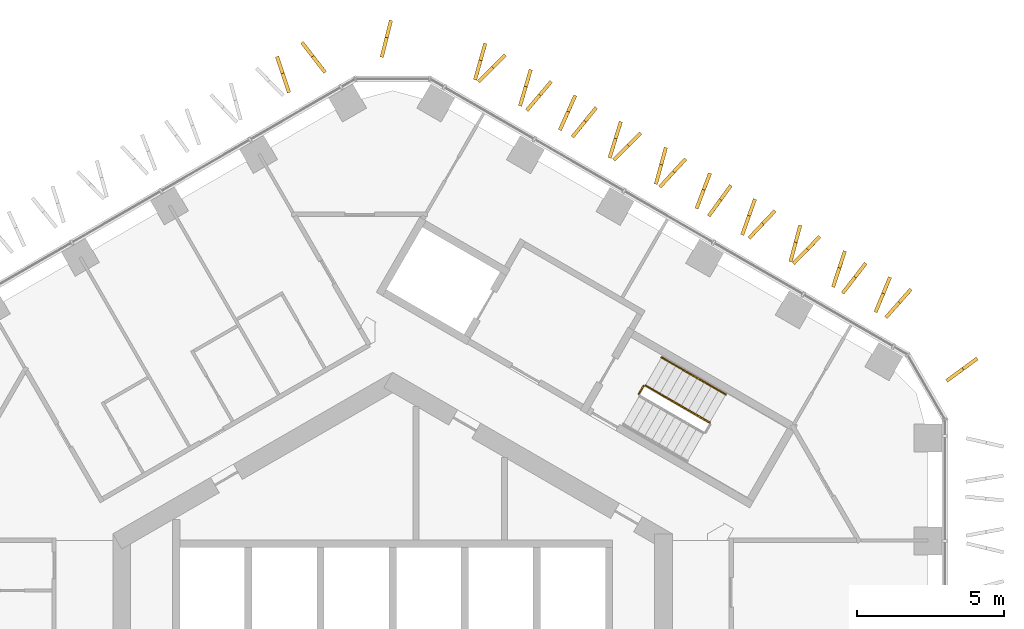
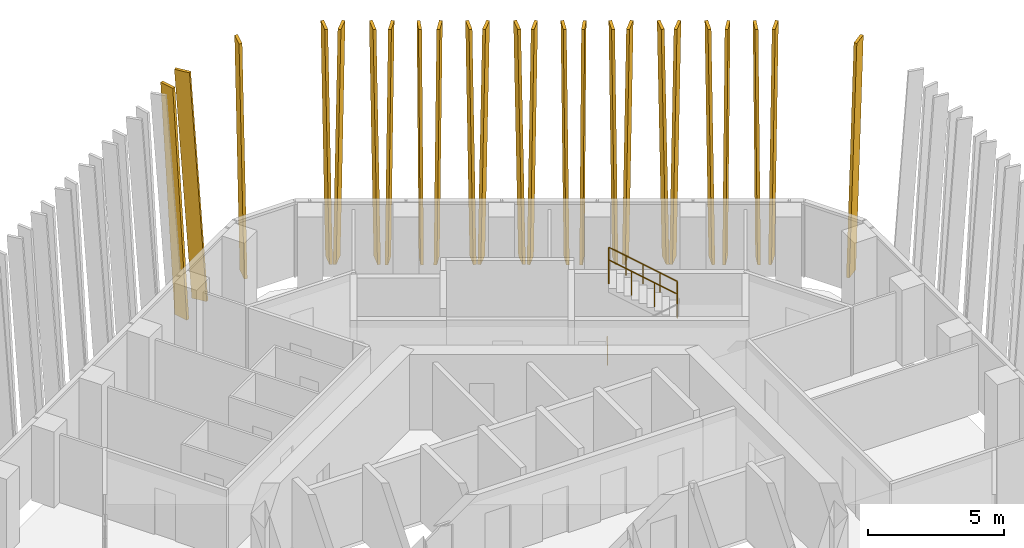
# One storey, part 21 of 21: 24 shading devices, 4 railings.
"""IFC4 building model written with IfcOpenShell, lengths in metres."""

from ifc_helpers import new_model, si_unit, direction, frame, origin, origin_2d, place, context, subcontext, project, spatial, polyline, circle, outline, extrude, material, layer, layer_set, type_object, element, save


model = new_model("IFC4")

# Units and contexts
model_context = context("Model", 3, precision=1e-05, world=origin(), true_north=direction((0.0, 1.0)))
body_context = subcontext(model_context, "Body", "Model", "MODEL_VIEW")
ifc_project = project(units=[si_unit("LENGTHUNIT", "METRE"), si_unit("AREAUNIT", "SQUARE_METRE"), si_unit("VOLUMEUNIT", "CUBIC_METRE"), si_unit("PLANEANGLEUNIT", "RADIAN"), si_unit("MASSUNIT", "GRAM", prefix="KILO")], contexts=[model_context])

# Site, building, storey
site_placement = place(None, origin())
site = spatial("IfcSite", under=ifc_project, at=site_placement, CompositionType="ELEMENT")
building_placement = place(site_placement, origin())
building = spatial("IfcBuilding", under=site, at=building_placement, Name="Ayvan Gate Tower", CompositionType="ELEMENT")
storey_placement = place(building_placement, frame((0.0, 0.0, 152.699951171875)))
storey = spatial("IfcBuildingStorey", under=building, at=storey_placement, Name="L40", CompositionType="ELEMENT", Elevation=152.699951171875)

# Shading devices
ifc_material_1 = material(Name="Bronze anodised aluminium", Category="aluminium")
ifc_layer = layer(ifc_material_1, 0.1201171875)
ifc_layer_set = layer_set([ifc_layer], Name="Bronze anodised aluminium")
shading_device_type = type_object("IfcShadingDeviceType", Name="Bronze fin 600 x 120", PredefinedType="USERDEFINED", material=ifc_layer_set)
shading_device_1_placement = place(storey_placement, frame((-2.2451171875, 21.19140625, 0.0), z_axis=(0.79251810121, 0.609848374596, 0.000138768716), x_axis=(-0.609848380468, 0.792518108841, 0.0)))
element("IfcShadingDevice", 1, at=shading_device_1_placement, inside=storey, type_object=shading_device_type, Name="Bronze fin FG15.1.1", ObjectType="FIN", PredefinedType="USERDEFINED", context=body_context, shape_type="SweptSolid", body=[
    extrude(outline(polyline([(0.0, 0.0), (0.600094726158047, -1.3552527156068805e-20), (1.288445924583487, 10.08007822205481), (0.6883511984254398, 10.08007822205481), (0.0, 0.0)])), origin(), (0.0, 0.0, -1.0), 0.1201171875),
])
shading_device_2_placement = place(storey_placement, frame((-3.461181640625, 20.487060546875, 0.0), z_axis=(0.949312104293, 0.314335019531, 0.000155369014), x_axis=(-0.314335023321, 0.949312115752, -3.001e-08)))
element("IfcShadingDevice", 2, at=shading_device_2_placement, inside=storey, type_object=shading_device_type, Name="Bronze fin FG15.1.2", ObjectType="FIN", PredefinedType="USERDEFINED", context=body_context, shape_type="SweptSolid", body=[
    extrude(outline(polyline([(0.0, 0.0), (0.5999540537240067, 3.3881317890172014e-21), (1.2884574341954806, 10.080078285330748), (0.6884266385224209, 10.080078249319245), (0.0, 0.0)])), origin(), (0.0, 0.0, -1.0), 0.1201171875),
])
shading_device_3_placement = place(storey_placement, frame((18.851318359375, 10.6279296875, 0.0), z_axis=(0.59005739309, -0.8073612882, 0.000152236376), x_axis=(0.807361297556, 0.590057399927, 0.0)))
element("IfcShadingDevice", 3, at=shading_device_3_placement, inside=storey, type_object=shading_device_type, Name="Bronze fin FG15.10.105", ObjectType="FIN", PredefinedType="USERDEFINED", context=body_context, shape_type="SweptSolid", body=[
    extrude(outline(polyline([(0.0, 0.0), (0.5999482529895881, 6.776263578034403e-21), (1.2884096860518603, 10.080078241807517), (0.6884614330622723, 10.080078241807517), (0.0, 0.0)])), origin(), (0.0, 0.0, -1.0), 0.1201171875),
])
shading_device_4_placement = place(storey_placement, frame((16.79736328125, 12.786865234375, 0.0), z_axis=(0.748059967638, -0.663631116246, 0.000162382885), x_axis=(0.663631124992, 0.748059977503, 2.192e-08)))
element("IfcShadingDevice", 4, at=shading_device_4_placement, inside=storey, type_object=shading_device_type, Name="Bronze fin FG15.11.106", ObjectType="FIN", PredefinedType="USERDEFINED", context=body_context, shape_type="SweptSolid", body=[
    extrude(outline(polyline([(0.0, 0.0), (0.6001134432348747, 0.0), (1.2883427686104885, 10.080078229656094), (0.6884119572060589, 10.080078255961254), (0.0, 0.0)])), origin(), (0.0, 0.0, -1.0), 0.1201171875),
])
shading_device_5_placement = place(storey_placement, frame((16.456787109375, 12.98583984375, 0.0), z_axis=(0.923629706078, -0.383285983756, 0.000143899914), x_axis=(0.383285987724, 0.923629715641, 0.0)))
element("IfcShadingDevice", 5, at=shading_device_5_placement, inside=storey, type_object=shading_device_type, Name="Bronze fin FG15.11.107", ObjectType="FIN", PredefinedType="USERDEFINED", context=body_context, shape_type="SweptSolid", body=[
    extrude(outline(polyline([(0.0, 0.0), (0.6000231579444082, 0.0), (1.288258381519322, 10.080078229365025), (0.6882352235749141, 10.080078229365025), (0.0, 0.0)])), origin(), (0.0, 0.0, -1.0), 0.1201171875),
])
shading_device_6_placement = place(storey_placement, frame((15.33251953125, 13.617431640625, 0.0), z_axis=(0.791897474158, -0.610654050198, 0.000146285123), x_axis=(0.610654056734, 0.791897482629, -1.8174e-08)))
element("IfcShadingDevice", 6, at=shading_device_6_placement, inside=storey, type_object=shading_device_type, Name="Bronze fin FG15.11.108", ObjectType="FIN", PredefinedType="USERDEFINED", context=body_context, shape_type="SweptSolid", body=[
    extrude(outline(polyline([(0.0, 0.0), (0.6000059180551673, -6.776263578034403e-21), (1.2884744077247237, 10.0800782562702), (0.6882751553232112, 10.080078234457702), (0.0, 0.0)])), origin(), (0.0, 0.0, -1.0), 0.1201171875),
])
shading_device_7_placement = place(storey_placement, frame((15.015625, 13.84423828125, 0.0), z_axis=(0.949453525195, -0.313907604323, 0.000139438645), x_axis=(0.313907607377, 0.949453534424, -1.8024e-08)))
element("IfcShadingDevice", 7, at=shading_device_7_placement, inside=storey, type_object=shading_device_type, Name="Bronze fin FG15.11.109", ObjectType="FIN", PredefinedType="USERDEFINED", context=body_context, shape_type="SweptSolid", body=[
    extrude(outline(polyline([(0.0, 0.0), (0.600185845273785, 0.0), (1.2883109936849921, 10.080078246214855), (0.6884335861899672, 10.080078224584755), (0.0, 0.0)])), origin(), (0.0, 0.0, -1.0), 0.1201171875),
])
shading_device_8_placement = place(storey_placement, frame((13.654541015625, 14.616943359375, 0.0), z_axis=(0.715399821122, -0.698715297421, 0.000170550351), x_axis=(0.698715307583, 0.715399831527, 0.0)))
element("IfcShadingDevice", 8, at=shading_device_8_placement, inside=storey, type_object=shading_device_type, Name="Bronze fin FG15.11.110", ObjectType="FIN", PredefinedType="USERDEFINED", context=body_context, shape_type="SweptSolid", body=[
    extrude(outline(polyline([(0.0, 0.0), (0.599943136461154, -6.776263578034403e-21), (1.2883010560775254, 10.080078271601748), (0.6883579196163714, 10.080078271601748), (0.0, 0.0)])), origin(), (0.0, 0.0, -1.0), 0.1201171875),
])
shading_device_9_placement = place(storey_placement, frame((13.57080078125, 14.705078125, 0.0), z_axis=(0.965770758304, -0.25939703325, 0.000146786765), x_axis=(0.259397036047, 0.965770768707, -2.109e-08)))
element("IfcShadingDevice", 9, at=shading_device_9_placement, inside=storey, type_object=shading_device_type, Name="Bronze fin FG15.11.111", ObjectType="FIN", PredefinedType="USERDEFINED", context=body_context, shape_type="SweptSolid", body=[
    extrude(outline(polyline([(0.0, 0.0), (0.6001550571068804, 3.3881317890172014e-21), (1.28834391314857, 10.08007826076511), (0.6884879692752724, 10.080078235457375), (0.0, 0.0)])), origin(), (0.0, 0.0, -1.0), 0.1201171875),
])
shading_device_10_placement = place(storey_placement, frame((12.14892578125, 15.481201171875, 0.0), z_axis=(0.725375139543, -0.68835374992, 0.000147998533), x_axis=(0.688353757459, 0.725375147487, 0.0)))
element("IfcShadingDevice", 10, at=shading_device_10_placement, inside=storey, type_object=shading_device_type, Name="Bronze fin FG15.11.112", ObjectType="FIN", PredefinedType="USERDEFINED", context=body_context, shape_type="SweptSolid", body=[
    extrude(outline(polyline([(0.0, 0.0), (0.6001070423804453, 0.0), (1.2883264153398932, 10.080078235394828), (0.6882193729594477, 10.080078235394828), (0.0, 0.0)])), origin(), (0.0, 0.0, -1.0), 0.1201171875),
])
shading_device_11_placement = place(storey_placement, frame((11.93017578125, 15.61572265625, 0.0), z_axis=(0.94141009042, -0.3372640298, 0.000125928057), x_axis=(0.337264032475, 0.941410097885, 0.0)))
element("IfcShadingDevice", 11, at=shading_device_11_placement, inside=storey, type_object=shading_device_type, Name="Bronze fin FG15.11.113", ObjectType="FIN", PredefinedType="USERDEFINED", context=body_context, shape_type="SweptSolid", body=[
    extrude(outline(polyline([(0.0, 0.0), (0.600101281598208, 0.0), (1.288440391632949, 10.080078204924313), (0.6883391100347411, 10.080078204924313), (0.0, 0.0)])), origin(), (0.0, 0.0, -1.0), 0.1201171875),
])
shading_device_12_placement = place(storey_placement, frame((10.78466796875, 16.239013671875, 0.0), z_axis=(0.809228409771, -0.587494129567, 0.000168946804), x_axis=(0.587494137952, 0.80922842132, 0.0)))
element("IfcShadingDevice", 12, at=shading_device_12_placement, inside=storey, type_object=shading_device_type, Name="Bronze fin FG15.11.114", ObjectType="FIN", PredefinedType="USERDEFINED", context=body_context, shape_type="SweptSolid", body=[
    extrude(outline(polyline([(0.0, 0.0), (0.6000724768574559, 6.776263578034403e-21), (1.2885121723887647, 10.080078268857953), (0.6884396955313088, 10.080078268857953), (0.0, 0.0)])), origin(), (0.0, 0.0, -1.0), 0.1201171875),
])
shading_device_13_placement = place(storey_placement, frame((10.37646484375, 16.5048828125, 0.0), z_axis=(0.933523779869, -0.358515453385, 0.000148670448), x_axis=(0.358515457347, 0.933523790186, 0.0)))
element("IfcShadingDevice", 13, at=shading_device_13_placement, inside=storey, type_object=shading_device_type, Name="Bronze fin FG15.11.115", ObjectType="FIN", PredefinedType="USERDEFINED", context=body_context, shape_type="SweptSolid", body=[
    extrude(outline(polyline([(0.0, 0.0), (0.5999403546409755, 3.3881317890172014e-21), (1.28822397231278, 10.080078236399492), (0.6882836176718045, 10.080078236399492), (0.0, 0.0)])), origin(), (0.0, 0.0, -1.0), 0.1201171875),
])
shading_device_14_placement = place(storey_placement, frame((9.12255859375, 17.2236328125, 0.0), z_axis=(0.735505075916, -0.677519198562, 0.000137411846), x_axis=(0.67751920496, 0.735505082858, -1.8945e-08)))
element("IfcShadingDevice", 14, at=shading_device_14_placement, inside=storey, type_object=shading_device_type, Name="Bronze fin FG15.11.116", ObjectType="FIN", PredefinedType="USERDEFINED", context=body_context, shape_type="SweptSolid", body=[
    extrude(outline(polyline([(0.0, 0.0), (0.5998845607869425, 0.0), (1.2882952992253554, 10.080078244572492), (0.6882311717677931, 10.080078221839802), (0.0, 0.0)])), origin(), (0.0, 0.0, -1.0), 0.1201171875),
])
shading_device_15_placement = place(storey_placement, frame((8.999755859375, 17.342041015625, 0.0), z_axis=(0.964608697852, -0.263685482475, 0.000162357834), x_axis=(0.263685485949, 0.964608710566, 8.709e-09)))
element("IfcShadingDevice", 15, at=shading_device_15_placement, inside=storey, type_object=shading_device_type, Name="Bronze fin FG15.11.117", ObjectType="FIN", PredefinedType="USERDEFINED", context=body_context, shape_type="SweptSolid", body=[
    extrude(outline(polyline([(0.0, 0.0), (0.6000867792106896, 6.776263578034403e-21), (1.2883282011250266, 10.080078246636047), (0.6884769220878147, 10.080078257085999), (0.0, 0.0)])), origin(), (0.0, 0.0, -1.0), 0.1201171875),
])
shading_device_16_placement = place(storey_placement, frame((7.5595703125, 18.138427734375, 0.0), z_axis=(0.710252354617, -0.703947136119, 0.000149368191), x_axis=(0.703947143974, 0.710252362538, -2.1575e-08)))
element("IfcShadingDevice", 16, at=shading_device_16_placement, inside=storey, type_object=shading_device_type, Name="Bronze fin FG15.11.118", ObjectType="FIN", PredefinedType="USERDEFINED", context=body_context, shape_type="SweptSolid", body=[
    extrude(outline(polyline([(0.0, 0.0), (0.6002522292994112, 6.776263578034403e-21), (1.2885556828886147, 10.080078265247943), (0.6884753156849005, 10.08007823935099), (0.0, 0.0)])), origin(), (0.0, 0.0, -1.0), 0.1201171875),
])
shading_device_17_placement = place(storey_placement, frame((7.427490234375, 18.233154296875, 0.0), z_axis=(0.954974698671, -0.296687217273, 0.000141438974), x_axis=(0.296687220239, 0.954974708224, 8.537e-09)))
element("IfcShadingDevice", 17, at=shading_device_17_placement, inside=storey, type_object=shading_device_type, Name="Bronze fin FG15.11.119", ObjectType="FIN", PredefinedType="USERDEFINED", context=body_context, shape_type="SweptSolid", body=[
    extrude(outline(polyline([(0.0, 0.0), (0.6000025936902219, 0.0), (1.288295878959919, 10.080078214827221), (0.688526433391822, 10.080078225070137), (0.0, 0.0)])), origin(), (0.0, 0.0, -1.0), 0.1201171875),
])
shading_device_18_placement = place(storey_placement, frame((6.15234375, 18.92236328125, 0.0), z_axis=(0.775902375112, -0.630852979869, 0.000148615012), x_axis=(0.630852986839, 0.775902383678, -2.3455e-08)))
element("IfcShadingDevice", 18, at=shading_device_18_placement, inside=storey, type_object=shading_device_type, Name="Bronze fin FG15.11.120", ObjectType="FIN", PredefinedType="USERDEFINED", context=body_context, shape_type="SweptSolid", body=[
    extrude(outline(polyline([(0.0, 0.0), (0.6001217842431984, 6.776263578034403e-21), (1.2882329902689855, 10.080078266532286), (0.6882652228682767, 10.080078238383862), (0.0, 0.0)])), origin(), (0.0, 0.0, -1.0), 0.1201171875),
])
shading_device_19_placement = place(storey_placement, frame((5.73388671875, 19.1689453125, 0.0), z_axis=(0.912396684717, -0.409307052319, 0.00016321738), x_axis=(0.409307057769, 0.912396696871, 1.3588e-08)))
element("IfcShadingDevice", 19, at=shading_device_19_placement, inside=storey, type_object=shading_device_type, Name="Bronze fin FG15.11.121", ObjectType="FIN", PredefinedType="USERDEFINED", context=body_context, shape_type="SweptSolid", body=[
    extrude(outline(polyline([(0.0, 0.0), (0.6001632546866447, -6.776263578034403e-21), (1.2884705197704, 10.080078241758441), (0.6885300181835774, 10.080078258065479), (0.0, 0.0)])), origin(), (0.0, 0.0, -1.0), 0.1201171875),
])
shading_device_20_placement = place(storey_placement, frame((4.6015625, 19.822021484375, 0.0), z_axis=(0.763733427358, -0.645531743475, 0.000141782923), x_axis=(0.645531749961, 0.763733435036, 2.2033e-08)))
element("IfcShadingDevice", 20, at=shading_device_20_placement, inside=storey, type_object=shading_device_type, Name="Bronze fin FG15.11.122", ObjectType="FIN", PredefinedType="USERDEFINED", context=body_context, shape_type="SweptSolid", body=[
    extrude(outline(polyline([(0.0, 0.0), (0.5999367707522485, -6.776263578034403e-21), (1.2883302246081836, 10.080078197931309), (0.6882358533310421, 10.080078224371393), (0.0, 0.0)])), origin(), (0.0, 0.0, -1.0), 0.1201171875),
])
shading_device_21_placement = place(storey_placement, frame((4.385009765625, 19.99609375, 0.0), z_axis=(0.958806309284, -0.284060612852, 0.000171762938), x_axis=(0.284060617043, 0.958806323428, 0.0)))
element("IfcShadingDevice", 21, at=shading_device_21_placement, inside=storey, type_object=shading_device_type, Name="Bronze fin FG15.11.123", ObjectType="FIN", PredefinedType="USERDEFINED", context=body_context, shape_type="SweptSolid", body=[
    extrude(outline(polyline([(0.0, 0.0), (0.599907716965803, 3.3881317890172014e-21), (1.2881682723379624, 10.080078273693792), (0.6882605553721594, 10.080078273693792), (0.0, 0.0)])), origin(), (0.0, 0.0, -1.0), 0.1201171875),
])
shading_device_22_placement = place(storey_placement, frame((2.959228515625, 20.796142578125, 0.0), z_axis=(0.707716963423, -0.706496060094, 0.000129439567), x_axis=(0.706496066012, 0.707716969352, 0.0)))
element("IfcShadingDevice", 22, at=shading_device_22_placement, inside=storey, type_object=shading_device_type, Name="Bronze fin FG15.11.124", ObjectType="FIN", PredefinedType="USERDEFINED", context=body_context, shape_type="SweptSolid", body=[
    extrude(outline(polyline([(0.0, 0.0), (0.5999016065187814, -6.776263578034403e-21), (1.2881927200362653, 10.080078209443847), (0.6882911135174841, 10.080078209443847), (0.0, 0.0)])), origin(), (0.0, 0.0, -1.0), 0.1201171875),
])
shading_device_23_placement = place(storey_placement, frame((2.857666015625, 20.88427734375, 0.0), z_axis=(0.962523228108, -0.271199210118, 0.000154223662), x_axis=(0.271199213337, 0.962523239556, 3.8705e-08)))
element("IfcShadingDevice", 23, at=shading_device_23_placement, inside=storey, type_object=shading_device_type, Name="Bronze fin FG15.11.125", ObjectType="FIN", PredefinedType="USERDEFINED", context=body_context, shape_type="SweptSolid", body=[
    extrude(outline(polyline([(0.0, 0.0), (0.6000851222831922, 0.0), (1.2883401018643024, 10.080078195011984), (0.6884237598609487, 10.08007824145789), (0.0, 0.0)])), origin(), (0.0, 0.0, -1.0), 0.1201171875),
])
shading_device_24_placement = place(storey_placement, frame((-0.3115234375, 21.656005859375, 0.0), z_axis=(0.96946843489, -0.245216092368, 0.000147631285), x_axis=(0.245216095036, 0.969468445456, 2.9127e-08)))
element("IfcShadingDevice", 24, at=shading_device_24_placement, inside=storey, type_object=shading_device_type, Name="Bronze fin FG15.12.126", ObjectType="FIN", PredefinedType="USERDEFINED", context=body_context, shape_type="SweptSolid", body=[
    extrude(outline(polyline([(0.0, 0.0), (0.5998276187227494, -3.3881317890172014e-21), (1.2882347579104427, 10.080078197325234), (0.6883472719769911, 10.08007823226933), (0.0, 0.0)])), origin(), (0.0, 0.0, -1.0), 0.1201171875),
])

# Railings
ifc_material_2 = material(Name="Stainless steel balustrade", Category="steel")
railing_type_1 = type_object("IfcRailingType", Name="RL-GUARD-1100", PredefinedType="GUARDRAIL", material=ifc_material_2)
railing_1_placement = place(storey_placement, frame((10.7685546875, 9.261474609375, 1.8701171875)))
element("IfcRailing", 25, at=railing_1_placement, inside=storey, type_object=railing_type_1, Name="L40 STS1 stair guard 3", PredefinedType="GUARDRAIL", context=body_context, shape_type="SweptSolid", body=[
    extrude(circle(Radius=0.02392578125, at=origin_2d()), frame((0.0, 0.0, 1.076171875), z_axis=(-0.740261155115, 0.427395438142, 0.518986090067), x_axis=(-0.500004791531, -0.866022637375, 0.0)), (0.0, 0.0, 1.0), 2.947998046875),
    extrude(circle(Radius=0.02099609375, at=origin_2d()), origin(), (0.0, 0.0, 1.0), 1.052001953125),
    extrude(circle(Radius=0.02099609375, at=origin_2d()), frame((-0.7275390625, 0.419921875, 0.510009765625)), (0.0, 0.0, 1.0), 1.052001953125),
    extrude(circle(Radius=0.02099609375, at=origin_2d()), frame((-1.454833984375, 0.840087890625, 1.02001953125)), (0.0, 0.0, 1.0), 1.052001953125),
    extrude(circle(Radius=0.02099609375, at=origin_2d()), frame((-2.182373046875, 1.260009765625, 1.530029296875)), (0.0, 0.0, 1.0), 1.052001953125),
])
railing_2_placement = place(storey_placement, frame((8.36279296875, 10.23486328125, 0.0)))
element("IfcRailing", 26, at=railing_2_placement, inside=storey, type_object=railing_type_1, Name="L40 STS1 stair guard 4", PredefinedType="GUARDRAIL", context=body_context, shape_type="SweptSolid", body=[
    extrude(circle(Radius=0.02392578125, at=origin_2d()), frame((0.0, 0.0, 1.076171875), z_axis=(0.500290723946, 0.86585748916, 0.0), x_axis=(-0.86585748916, 0.500290723946, 0.0)), (0.0, 0.0, 1.0), 0.309814453125),
    extrude(circle(Radius=0.02099609375, at=origin_2d()), origin(), (0.0, 0.0, 1.0), 1.052001953125),
    extrude(circle(Radius=0.02099609375, at=origin_2d()), frame((0.155029296875, 0.268310546875, 0.0)), (0.0, 0.0, 1.0), 1.052001953125),
])
railing_type_2 = type_object("IfcRailingType", Name="RL-HANDRAIL-900", PredefinedType="HANDRAIL", material=ifc_material_2)
railing_3_placement = place(storey_placement, frame((11.318603515625, 10.214111328125, 1.8701171875)))
element("IfcRailing", 27, at=railing_3_placement, inside=storey, type_object=railing_type_2, Name="L40 STS1 stair handrail 3", PredefinedType="HANDRAIL", context=body_context, shape_type="SweptSolid", body=[
    extrude(circle(Radius=0.02392578125, at=origin_2d()), frame((0.0, 0.0, 0.8759765625), z_axis=(-0.740304193401, 0.427455284825, 0.518875399983), x_axis=(-0.500035496587, -0.86600490885, 0.0)), (0.0, 0.0, 1.0), 1.47412109375),
    extrude(circle(Radius=0.02099609375, at=origin_2d()), origin(), (0.0, 0.0, 1.0), 0.851806640625),
    extrude(circle(Radius=0.02099609375, at=origin_2d()), frame((-0.545654296875, 0.31494140625, 0.38232421875)), (0.0, 0.0, 1.0), 0.851806640625),
    extrude(circle(Radius=0.02099609375, at=origin_2d()), frame((-1.09130859375, 0.630126953125, 0.764892578125)), (0.0, 0.0, 1.0), 0.851806640625),
])
railing_4_placement = place(storey_placement, frame((10.227294921875, 10.84423828125, 2.635009765625)))
element("IfcRailing", 28, at=railing_4_placement, inside=storey, type_object=railing_type_2, Name="L40 STS1 stair handrail 4", PredefinedType="HANDRAIL", context=body_context, shape_type="SweptSolid", body=[
    extrude(circle(Radius=0.02392578125, at=origin_2d()), frame((0.0, 0.0, 0.8759765625), z_axis=(-0.740292964666, 0.42728318766, 0.519033143459), x_axis=(-0.499890179513, -0.866088799389, 0.0)), (0.0, 0.0, 1.0), 1.47412109375),
    extrude(circle(Radius=0.02099609375, at=origin_2d()), origin(), (0.0, 0.0, 1.0), 0.851806640625),
    extrude(circle(Radius=0.02099609375, at=origin_2d()), frame((-0.545654296875, 0.31494140625, 0.382568359375)), (0.0, 0.0, 1.0), 0.851806640625),
    extrude(circle(Radius=0.02099609375, at=origin_2d()), frame((-1.09130859375, 0.6298828125, 0.76513671875)), (0.0, 0.0, 1.0), 0.851806640625),
])

save(model, "model.ifc")
